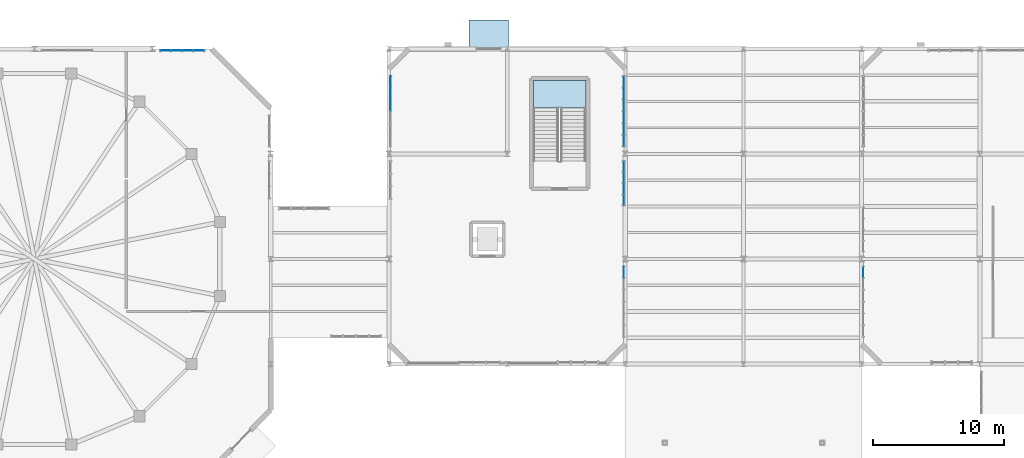
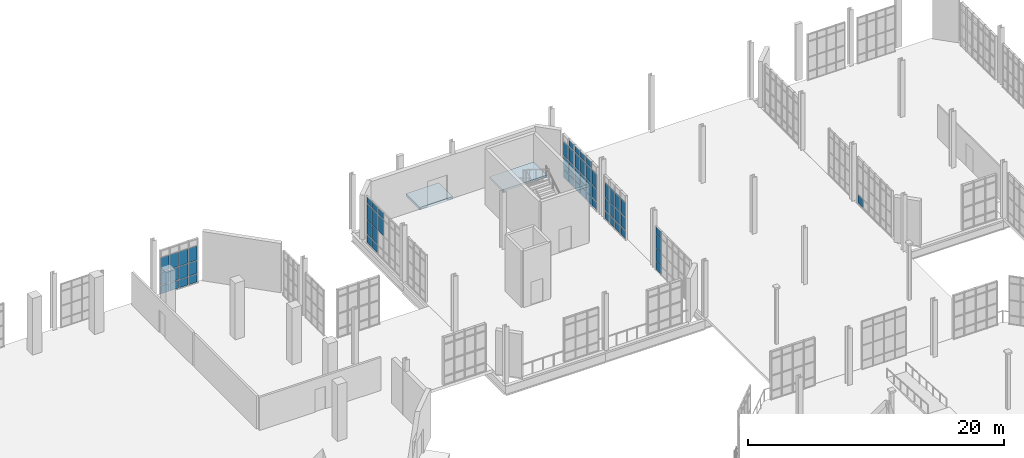
# One storey, part 160 of 189: 61 plates, 2 slabs, 7 elements without a shape of their own.
"""IFC4 building model written with IfcOpenShell, lengths in metres."""

from ifc_helpers import new_model, si_unit, direction, frame, origin, origin_2d, place, context, subcontext, project, spatial, polyline, rectangle, outline, extrude, material, layer, layer_set, type_object, element, aggregate, save


model = new_model("IFC4")

# Units and contexts
model_context = context("Model", 3, precision=1e-05, world=origin(), true_north=direction((0.0, 1.0)))
body_context = subcontext(model_context, "Body", "Model", "MODEL_VIEW")
ifc_project = project(units=[si_unit("LENGTHUNIT", "METRE"), si_unit("AREAUNIT", "SQUARE_METRE"), si_unit("VOLUMEUNIT", "CUBIC_METRE"), si_unit("PLANEANGLEUNIT", "RADIAN"), si_unit("MASSUNIT", "GRAM", prefix="KILO"), si_unit("THERMODYNAMICTEMPERATUREUNIT", "KELVIN"), si_unit("POWERUNIT", "WATT")], contexts=[model_context])

# Site, building, storey
site_placement = place(None, origin())
site = spatial("IfcSite", under=ifc_project, at=site_placement, CompositionType="ELEMENT")
building_placement = place(site_placement, origin())
building = spatial("IfcBuilding", under=site, at=building_placement, Name="Zelmaris Science Centre", CompositionType="ELEMENT")
storey_placement = place(building_placement, origin())
storey = spatial("IfcBuildingStorey", under=building, at=storey_placement, Name="L00", CompositionType="ELEMENT", Elevation=0.0)

# Curtain wall, plates
ifc_material_1 = material(Name="Anodised architectural aluminium 6063-T6", Category="aluminium")
ifc_layer_1 = layer(ifc_material_1, 0.18994140625, Name="Anodised architectural aluminium 6063-T6")
ifc_layer_set_1 = layer_set([ifc_layer_1], Name="Anodised architectural aluminium 6063-T6")
curtain_wall_type_1 = type_object("IfcCurtainWallType", Name="Curtain Wall CW-01", PredefinedType="USERDEFINED", material=ifc_layer_set_1)
curtain_wall_1_placement = place(storey_placement, origin())
curtain_wall_1 = element("IfcCurtainWall", 1, at=curtain_wall_1_placement, inside=storey, type_object=curtain_wall_type_1, Name="L00 Unitised curtain wall 29", ObjectType="GLAZED CURTAIN WALL", PredefinedType="USERDEFINED")
ifc_material_2 = material(Name="Laminated hurricane-rated low-E insulated glazing", Category="glass")
ifc_layer_2 = layer(ifc_material_2, 0.031982421875, Name="Laminated hurricane-rated low-E insulated glazing")
ifc_layer_set_2 = layer_set([ifc_layer_2], Name="Laminated hurricane-rated low-E insulated glazing")
plate_type_1 = type_object("IfcPlateType", Name="Curtain Glazing Panel CWP-1 32mm", PredefinedType="CURTAIN_PANEL", material=ifc_layer_set_2)
plate_1_placement = place(storey_placement, frame((71.8798828125, 85.490234375, 0.05712890625), z_axis=(0.0, 0.0, 1.0), x_axis=(0.0, -1.0, 0.0)))
plate_1 = element("IfcPlate", 2, at=plate_1_placement, type_object=plate_type_1, Name="CW-01 panel 1.1", PredefinedType="CURTAIN_PANEL", context=body_context, shape_type="SweptSolid", body=[
    extrude(rectangle(XDim=0.79541015625, YDim=0.031982421875, at=origin_2d()), origin(), (0.0, 0.0, 1.0), 0.741943359375),
])
plate_2_placement = place(storey_placement, frame((71.8798828125, 85.490234375, 0.87109375), z_axis=(0.0, 0.0, 1.0), x_axis=(0.0, -1.0, 0.0)))
plate_2 = element("IfcPlate", 3, at=plate_2_placement, type_object=plate_type_1, Name="CW-01 panel 1.2", PredefinedType="CURTAIN_PANEL", context=body_context, shape_type="SweptSolid", body=[
    extrude(rectangle(XDim=0.79541015625, YDim=0.031982421875, at=origin_2d()), origin(), (0.0, 0.0, 1.0), 1.202392578125),
])
plate_3_placement = place(storey_placement, frame((71.8798828125, 85.490234375, 2.1455078125), z_axis=(0.0, 0.0, 1.0), x_axis=(0.0, -1.0, 0.0)))
plate_3 = element("IfcPlate", 4, at=plate_3_placement, type_object=plate_type_1, Name="CW-01 panel 1.3", PredefinedType="CURTAIN_PANEL", context=body_context, shape_type="SweptSolid", body=[
    extrude(rectangle(XDim=0.79541015625, YDim=0.031982421875, at=origin_2d()), origin(), (0.0, 0.0, 1.0), 1.3525390625),
])
plate_4_placement = place(storey_placement, frame((71.8798828125, 84.60498046875, 0.05712890625), z_axis=(0.0, 0.0, 1.0), x_axis=(0.0, -1.0, 0.0)))
plate_4 = element("IfcPlate", 5, at=plate_4_placement, type_object=plate_type_1, Name="CW-01 panel 2.1", PredefinedType="CURTAIN_PANEL", context=body_context, shape_type="SweptSolid", body=[
    extrude(rectangle(XDim=0.831298828125, YDim=0.031982421875, at=origin_2d()), origin(), (0.0, 0.0, 1.0), 0.741943359375),
])
plate_5_placement = place(storey_placement, frame((71.8798828125, 84.60498046875, 0.87109375), z_axis=(0.0, 0.0, 1.0), x_axis=(0.0, -1.0, 0.0)))
plate_5 = element("IfcPlate", 6, at=plate_5_placement, type_object=plate_type_1, Name="CW-01 panel 2.2", PredefinedType="CURTAIN_PANEL", context=body_context, shape_type="SweptSolid", body=[
    extrude(rectangle(XDim=0.831298828125, YDim=0.031982421875, at=origin_2d()), origin(), (0.0, 0.0, 1.0), 1.202392578125),
])
plate_6_placement = place(storey_placement, frame((71.8798828125, 84.60498046875, 2.1455078125), z_axis=(0.0, 0.0, 1.0), x_axis=(0.0, -1.0, 0.0)))
plate_6 = element("IfcPlate", 7, at=plate_6_placement, type_object=plate_type_1, Name="CW-01 panel 2.3", PredefinedType="CURTAIN_PANEL", context=body_context, shape_type="SweptSolid", body=[
    extrude(rectangle(XDim=0.831298828125, YDim=0.031982421875, at=origin_2d()), origin(), (0.0, 0.0, 1.0), 1.3525390625),
])
plate_7_placement = place(storey_placement, frame((71.8798828125, 84.60498046875, 3.56982421875), z_axis=(0.0, 0.0, 1.0), x_axis=(0.0, -1.0, 0.0)))
plate_7 = element("IfcPlate", 8, at=plate_7_placement, type_object=plate_type_1, Name="CW-01 panel 2.4", PredefinedType="CURTAIN_PANEL", context=body_context, shape_type="SweptSolid", body=[
    extrude(rectangle(XDim=0.831298828125, YDim=0.031982421875, at=origin_2d()), origin(), (0.0, 0.0, 1.0), 0.592041015625),
])
plate_8_placement = place(storey_placement, frame((71.8798828125, 83.70166015625, 0.05712890625), z_axis=(0.0, 0.0, 1.0), x_axis=(0.0, -1.0, 0.0)))
plate_8 = element("IfcPlate", 9, at=plate_8_placement, type_object=plate_type_1, Name="CW-01 panel 3.1", PredefinedType="CURTAIN_PANEL", context=body_context, shape_type="SweptSolid", body=[
    extrude(rectangle(XDim=0.831298828125, YDim=0.031982421875, at=origin_2d()), origin(), (0.0, 0.0, 1.0), 0.741943359375),
])
plate_9_placement = place(storey_placement, frame((71.8798828125, 83.70166015625, 0.87109375), z_axis=(0.0, 0.0, 1.0), x_axis=(0.0, -1.0, 0.0)))
plate_9 = element("IfcPlate", 10, at=plate_9_placement, type_object=plate_type_1, Name="CW-01 panel 3.2", PredefinedType="CURTAIN_PANEL", context=body_context, shape_type="SweptSolid", body=[
    extrude(rectangle(XDim=0.831298828125, YDim=0.031982421875, at=origin_2d()), origin(), (0.0, 0.0, 1.0), 1.202392578125),
])
plate_10_placement = place(storey_placement, frame((71.8798828125, 83.70166015625, 2.1455078125), z_axis=(0.0, 0.0, 1.0), x_axis=(0.0, -1.0, 0.0)))
plate_10 = element("IfcPlate", 11, at=plate_10_placement, type_object=plate_type_1, Name="CW-01 panel 3.3", PredefinedType="CURTAIN_PANEL", context=body_context, shape_type="SweptSolid", body=[
    extrude(rectangle(XDim=0.831298828125, YDim=0.031982421875, at=origin_2d()), origin(), (0.0, 0.0, 1.0), 1.3525390625),
])
plate_11_placement = place(storey_placement, frame((71.8798828125, 83.70166015625, 3.56982421875), z_axis=(0.0, 0.0, 1.0), x_axis=(0.0, -1.0, 0.0)))
plate_11 = element("IfcPlate", 12, at=plate_11_placement, type_object=plate_type_1, Name="CW-01 panel 3.4", PredefinedType="CURTAIN_PANEL", context=body_context, shape_type="SweptSolid", body=[
    extrude(rectangle(XDim=0.831298828125, YDim=0.031982421875, at=origin_2d()), origin(), (0.0, 0.0, 1.0), 0.592041015625),
])
plate_12_placement = place(storey_placement, frame((71.8798828125, 82.79833984375, 0.05712890625), z_axis=(0.0, 0.0, 1.0), x_axis=(0.0, -1.0, 0.0)))
plate_12 = element("IfcPlate", 13, at=plate_12_placement, type_object=plate_type_1, Name="CW-01 panel 4.1", PredefinedType="CURTAIN_PANEL", context=body_context, shape_type="SweptSolid", body=[
    extrude(rectangle(XDim=0.831298828125, YDim=0.031982421875, at=origin_2d()), origin(), (0.0, 0.0, 1.0), 0.741943359375),
])
plate_13_placement = place(storey_placement, frame((71.8798828125, 82.79833984375, 0.87109375), z_axis=(0.0, 0.0, 1.0), x_axis=(0.0, -1.0, 0.0)))
plate_13 = element("IfcPlate", 14, at=plate_13_placement, type_object=plate_type_1, Name="CW-01 panel 4.2", PredefinedType="CURTAIN_PANEL", context=body_context, shape_type="SweptSolid", body=[
    extrude(rectangle(XDim=0.831298828125, YDim=0.031982421875, at=origin_2d()), origin(), (0.0, 0.0, 1.0), 1.202392578125),
])
plate_14_placement = place(storey_placement, frame((71.8798828125, 82.79833984375, 2.1455078125), z_axis=(0.0, 0.0, 1.0), x_axis=(0.0, -1.0, 0.0)))
plate_14 = element("IfcPlate", 15, at=plate_14_placement, type_object=plate_type_1, Name="CW-01 panel 4.3", PredefinedType="CURTAIN_PANEL", context=body_context, shape_type="SweptSolid", body=[
    extrude(rectangle(XDim=0.831298828125, YDim=0.031982421875, at=origin_2d()), origin(), (0.0, 0.0, 1.0), 1.3525390625),
])
plate_15_placement = place(storey_placement, frame((71.8798828125, 82.79833984375, 3.56982421875), z_axis=(0.0, 0.0, 1.0), x_axis=(0.0, -1.0, 0.0)))
plate_15 = element("IfcPlate", 16, at=plate_15_placement, type_object=plate_type_1, Name="CW-01 panel 4.4", PredefinedType="CURTAIN_PANEL", context=body_context, shape_type="SweptSolid", body=[
    extrude(rectangle(XDim=0.831298828125, YDim=0.031982421875, at=origin_2d()), origin(), (0.0, 0.0, 1.0), 0.592041015625),
])
plate_16_placement = place(storey_placement, frame((71.8798828125, 81.89501953125, 0.05712890625), z_axis=(0.0, 0.0, 1.0), x_axis=(0.0, -1.0, 0.0)))
plate_16 = element("IfcPlate", 17, at=plate_16_placement, type_object=plate_type_1, Name="CW-01 panel 5.1", PredefinedType="CURTAIN_PANEL", context=body_context, shape_type="SweptSolid", body=[
    extrude(rectangle(XDim=0.831298828125, YDim=0.031982421875, at=origin_2d()), origin(), (0.0, 0.0, 1.0), 0.741943359375),
])
plate_17_placement = place(storey_placement, frame((71.8798828125, 81.89501953125, 0.87109375), z_axis=(0.0, 0.0, 1.0), x_axis=(0.0, -1.0, 0.0)))
plate_17 = element("IfcPlate", 18, at=plate_17_placement, type_object=plate_type_1, Name="CW-01 panel 5.2", PredefinedType="CURTAIN_PANEL", context=body_context, shape_type="SweptSolid", body=[
    extrude(rectangle(XDim=0.831298828125, YDim=0.031982421875, at=origin_2d()), origin(), (0.0, 0.0, 1.0), 1.202392578125),
])
plate_18_placement = place(storey_placement, frame((71.8798828125, 81.89501953125, 2.1455078125), z_axis=(0.0, 0.0, 1.0), x_axis=(0.0, -1.0, 0.0)))
plate_18 = element("IfcPlate", 19, at=plate_18_placement, type_object=plate_type_1, Name="CW-01 panel 5.3", PredefinedType="CURTAIN_PANEL", context=body_context, shape_type="SweptSolid", body=[
    extrude(rectangle(XDim=0.831298828125, YDim=0.031982421875, at=origin_2d()), origin(), (0.0, 0.0, 1.0), 1.3525390625),
])
plate_19_placement = place(storey_placement, frame((71.8798828125, 81.89501953125, 3.56982421875), z_axis=(0.0, 0.0, 1.0), x_axis=(0.0, -1.0, 0.0)))
plate_19 = element("IfcPlate", 20, at=plate_19_placement, type_object=plate_type_1, Name="CW-01 panel 5.4", PredefinedType="CURTAIN_PANEL", context=body_context, shape_type="SweptSolid", body=[
    extrude(rectangle(XDim=0.831298828125, YDim=0.031982421875, at=origin_2d()), origin(), (0.0, 0.0, 1.0), 0.592041015625),
])
plate_20_placement = place(storey_placement, frame((71.8798828125, 81.009765625, 0.05712890625), z_axis=(0.0, 0.0, 1.0), x_axis=(0.0, -1.0, 0.0)))
plate_20 = element("IfcPlate", 21, at=plate_20_placement, type_object=plate_type_1, Name="CW-01 panel 6.1", PredefinedType="CURTAIN_PANEL", context=body_context, shape_type="SweptSolid", body=[
    extrude(rectangle(XDim=0.79541015625, YDim=0.031982421875, at=origin_2d()), origin(), (0.0, 0.0, 1.0), 0.741943359375),
])
plate_21_placement = place(storey_placement, frame((71.8798828125, 81.009765625, 0.87109375), z_axis=(0.0, 0.0, 1.0), x_axis=(0.0, -1.0, 0.0)))
plate_21 = element("IfcPlate", 22, at=plate_21_placement, type_object=plate_type_1, Name="CW-01 panel 6.2", PredefinedType="CURTAIN_PANEL", context=body_context, shape_type="SweptSolid", body=[
    extrude(rectangle(XDim=0.79541015625, YDim=0.031982421875, at=origin_2d()), origin(), (0.0, 0.0, 1.0), 1.202392578125),
])
plate_22_placement = place(storey_placement, frame((71.8798828125, 81.009765625, 2.1455078125), z_axis=(0.0, 0.0, 1.0), x_axis=(0.0, -1.0, 0.0)))
plate_22 = element("IfcPlate", 23, at=plate_22_placement, type_object=plate_type_1, Name="CW-01 panel 6.3", PredefinedType="CURTAIN_PANEL", context=body_context, shape_type="SweptSolid", body=[
    extrude(rectangle(XDim=0.79541015625, YDim=0.031982421875, at=origin_2d()), origin(), (0.0, 0.0, 1.0), 1.3525390625),
])
aggregate(curtain_wall_1, [plate_1, plate_2, plate_3, plate_4, plate_5, plate_6, plate_7, plate_8, plate_9, plate_10, plate_11, plate_12, plate_13, plate_14, plate_15, plate_16, plate_17, plate_18, plate_19, plate_20, plate_21, plate_22])

ifc_layer_3 = layer(ifc_material_1, 0.199951171875, Name="Anodised architectural aluminium 6063-T6")
ifc_layer_set_3 = layer_set([ifc_layer_3], Name="Anodised architectural aluminium 6063-T6")
curtain_wall_type_2 = type_object("IfcCurtainWallType", Name="Curtain Wall CW-02", PredefinedType="USERDEFINED", material=ifc_layer_set_3)
curtain_wall_2_placement = place(storey_placement, origin())
curtain_wall_2 = element("IfcCurtainWall", 24, at=curtain_wall_2_placement, inside=storey, type_object=curtain_wall_type_2, Name="L00 Unitised curtain wall 22", ObjectType="GLAZED CURTAIN WALL", PredefinedType="USERDEFINED")
ifc_layer_4 = layer(ifc_material_2, 0.028076171875, Name="Laminated hurricane-rated low-E insulated glazing")
ifc_layer_set_4 = layer_set([ifc_layer_4], Name="Laminated hurricane-rated low-E insulated glazing")
plate_type_2 = type_object("IfcPlateType", Name="Curtain Glazing Panel CWP-2 28mm", PredefinedType="CURTAIN_PANEL", material=ifc_layer_set_4)
plate_23_placement = place(storey_placement, frame((36.984130859375, 87.8798828125, 0.052001953125), z_axis=(0.0, 0.0, 1.0), x_axis=(1.0, 0.0, 0.0)))
plate_23 = element("IfcPlate", 25, at=plate_23_placement, type_object=plate_type_2, Name="CW-02 panel 1.1", PredefinedType="CURTAIN_PANEL", context=body_context, shape_type="SweptSolid", body=[
    extrude(rectangle(XDim=0.75439453125, YDim=0.028076171875, at=origin_2d()), origin(), (0.0, 0.0, 1.0), 0.74951171875),
])
plate_24_placement = place(storey_placement, frame((36.984130859375, 87.8798828125, 0.868408203125), z_axis=(0.0, 0.0, 1.0), x_axis=(1.0, 0.0, 0.0)))
plate_24 = element("IfcPlate", 26, at=plate_24_placement, type_object=plate_type_2, Name="CW-02 panel 1.2", PredefinedType="CURTAIN_PANEL", context=body_context, shape_type="SweptSolid", body=[
    extrude(rectangle(XDim=0.75439453125, YDim=0.028076171875, at=origin_2d()), origin(), (0.0, 0.0, 1.0), 1.20751953125),
])
plate_25_placement = place(storey_placement, frame((36.984130859375, 87.8798828125, 2.14306640625), z_axis=(0.0, 0.0, 1.0), x_axis=(1.0, 0.0, 0.0)))
plate_25 = element("IfcPlate", 27, at=plate_25_placement, type_object=plate_type_2, Name="CW-02 panel 1.3", PredefinedType="CURTAIN_PANEL", context=body_context, shape_type="SweptSolid", body=[
    extrude(rectangle(XDim=0.75439453125, YDim=0.028076171875, at=origin_2d()), origin(), (0.0, 0.0, 1.0), 1.357421875),
])
plate_26_placement = place(storey_placement, frame((37.822509765625, 87.8798828125, 0.052001953125), z_axis=(0.0, 0.0, 1.0), x_axis=(1.0, 0.0, 0.0)))
plate_26 = element("IfcPlate", 28, at=plate_26_placement, type_object=plate_type_2, Name="CW-02 panel 2.1", PredefinedType="CURTAIN_PANEL", context=body_context, shape_type="SweptSolid", body=[
    extrude(rectangle(XDim=0.7880859375, YDim=0.028076171875, at=origin_2d()), origin(), (0.0, 0.0, 1.0), 0.74951171875),
])
plate_27_placement = place(storey_placement, frame((37.822509765625, 87.8798828125, 0.868408203125), z_axis=(0.0, 0.0, 1.0), x_axis=(1.0, 0.0, 0.0)))
plate_27 = element("IfcPlate", 29, at=plate_27_placement, type_object=plate_type_2, Name="CW-02 panel 2.2", PredefinedType="CURTAIN_PANEL", context=body_context, shape_type="SweptSolid", body=[
    extrude(rectangle(XDim=0.7880859375, YDim=0.028076171875, at=origin_2d()), origin(), (0.0, 0.0, 1.0), 1.20751953125),
])
plate_28_placement = place(storey_placement, frame((37.822509765625, 87.8798828125, 2.14306640625), z_axis=(0.0, 0.0, 1.0), x_axis=(1.0, 0.0, 0.0)))
plate_28 = element("IfcPlate", 30, at=plate_28_placement, type_object=plate_type_2, Name="CW-02 panel 2.3", PredefinedType="CURTAIN_PANEL", context=body_context, shape_type="SweptSolid", body=[
    extrude(rectangle(XDim=0.7880859375, YDim=0.028076171875, at=origin_2d()), origin(), (0.0, 0.0, 1.0), 1.357421875),
])
plate_29_placement = place(storey_placement, frame((38.677490234375, 87.8798828125, 0.052001953125), z_axis=(0.0, 0.0, 1.0), x_axis=(1.0, 0.0, 0.0)))
plate_29 = element("IfcPlate", 31, at=plate_29_placement, type_object=plate_type_2, Name="CW-02 panel 3.1", PredefinedType="CURTAIN_PANEL", context=body_context, shape_type="SweptSolid", body=[
    extrude(rectangle(XDim=0.7880859375, YDim=0.028076171875, at=origin_2d()), origin(), (0.0, 0.0, 1.0), 0.74951171875),
])
plate_30_placement = place(storey_placement, frame((38.677490234375, 87.8798828125, 0.868408203125), z_axis=(0.0, 0.0, 1.0), x_axis=(1.0, 0.0, 0.0)))
plate_30 = element("IfcPlate", 32, at=plate_30_placement, type_object=plate_type_2, Name="CW-02 panel 3.2", PredefinedType="CURTAIN_PANEL", context=body_context, shape_type="SweptSolid", body=[
    extrude(rectangle(XDim=0.7880859375, YDim=0.028076171875, at=origin_2d()), origin(), (0.0, 0.0, 1.0), 1.20751953125),
])
plate_31_placement = place(storey_placement, frame((38.677490234375, 87.8798828125, 2.14306640625), z_axis=(0.0, 0.0, 1.0), x_axis=(1.0, 0.0, 0.0)))
plate_31 = element("IfcPlate", 33, at=plate_31_placement, type_object=plate_type_2, Name="CW-02 panel 3.3", PredefinedType="CURTAIN_PANEL", context=body_context, shape_type="SweptSolid", body=[
    extrude(rectangle(XDim=0.7880859375, YDim=0.028076171875, at=origin_2d()), origin(), (0.0, 0.0, 1.0), 1.357421875),
])
plate_32_placement = place(storey_placement, frame((39.515869140625, 87.8798828125, 0.052001953125), z_axis=(0.0, 0.0, 1.0), x_axis=(1.0, 0.0, 0.0)))
plate_32 = element("IfcPlate", 34, at=plate_32_placement, type_object=plate_type_2, Name="CW-02 panel 4.1", PredefinedType="CURTAIN_PANEL", context=body_context, shape_type="SweptSolid", body=[
    extrude(rectangle(XDim=0.75439453125, YDim=0.028076171875, at=origin_2d()), origin(), (0.0, 0.0, 1.0), 0.74951171875),
])
plate_33_placement = place(storey_placement, frame((39.515869140625, 87.8798828125, 0.868408203125), z_axis=(0.0, 0.0, 1.0), x_axis=(1.0, 0.0, 0.0)))
plate_33 = element("IfcPlate", 35, at=plate_33_placement, type_object=plate_type_2, Name="CW-02 panel 4.2", PredefinedType="CURTAIN_PANEL", context=body_context, shape_type="SweptSolid", body=[
    extrude(rectangle(XDim=0.75439453125, YDim=0.028076171875, at=origin_2d()), origin(), (0.0, 0.0, 1.0), 1.20751953125),
])
plate_34_placement = place(storey_placement, frame((39.515869140625, 87.8798828125, 2.14306640625), z_axis=(0.0, 0.0, 1.0), x_axis=(1.0, 0.0, 0.0)))
plate_34 = element("IfcPlate", 36, at=plate_34_placement, type_object=plate_type_2, Name="CW-02 panel 4.3", PredefinedType="CURTAIN_PANEL", context=body_context, shape_type="SweptSolid", body=[
    extrude(rectangle(XDim=0.75439453125, YDim=0.028076171875, at=origin_2d()), origin(), (0.0, 0.0, 1.0), 1.357421875),
])
aggregate(curtain_wall_2, [plate_23, plate_24, plate_25, plate_26, plate_27, plate_28, plate_29, plate_30, plate_31, plate_32, plate_33, plate_34])

curtain_wall_3_placement = place(storey_placement, origin())
curtain_wall_3 = element("IfcCurtainWall", 37, at=curtain_wall_3_placement, inside=storey, type_object=curtain_wall_type_2, Name="L00 Unitised curtain wall 30", ObjectType="GLAZED CURTAIN WALL", PredefinedType="USERDEFINED")
plate_35_placement = place(storey_placement, frame((71.8798828125, 79.018310546875, 0.052001953125), z_axis=(0.0, 0.0, 1.0), x_axis=(0.0, -1.0, 0.0)))
plate_35 = element("IfcPlate", 38, at=plate_35_placement, type_object=plate_type_2, Name="CW-02 panel 1.1", PredefinedType="CURTAIN_PANEL", context=body_context, shape_type="SweptSolid", body=[
    extrude(rectangle(XDim=0.74951171875, YDim=0.028076171875, at=origin_2d()), origin(), (0.0, 0.0, 1.0), 0.74951171875),
])
plate_36_placement = place(storey_placement, frame((71.8798828125, 79.018310546875, 0.868408203125), z_axis=(0.0, 0.0, 1.0), x_axis=(0.0, -1.0, 0.0)))
plate_36 = element("IfcPlate", 39, at=plate_36_placement, type_object=plate_type_2, Name="CW-02 panel 1.2", PredefinedType="CURTAIN_PANEL", context=body_context, shape_type="SweptSolid", body=[
    extrude(rectangle(XDim=0.74951171875, YDim=0.028076171875, at=origin_2d()), origin(), (0.0, 0.0, 1.0), 1.20751953125),
])
plate_37_placement = place(storey_placement, frame((71.8798828125, 79.018310546875, 2.14306640625), z_axis=(0.0, 0.0, 1.0), x_axis=(0.0, -1.0, 0.0)))
plate_37 = element("IfcPlate", 40, at=plate_37_placement, type_object=plate_type_2, Name="CW-02 panel 1.3", PredefinedType="CURTAIN_PANEL", context=body_context, shape_type="SweptSolid", body=[
    extrude(rectangle(XDim=0.74951171875, YDim=0.028076171875, at=origin_2d()), origin(), (0.0, 0.0, 1.0), 1.357421875),
])
plate_38_placement = place(storey_placement, frame((71.8798828125, 78.18505859375, 0.052001953125), z_axis=(0.0, 0.0, 1.0), x_axis=(0.0, -1.0, 0.0)))
plate_38 = element("IfcPlate", 41, at=plate_38_placement, type_object=plate_type_2, Name="CW-02 panel 2.1", PredefinedType="CURTAIN_PANEL", context=body_context, shape_type="SweptSolid", body=[
    extrude(rectangle(XDim=0.782958984375, YDim=0.028076171875, at=origin_2d()), origin(), (0.0, 0.0, 1.0), 0.74951171875),
])
plate_39_placement = place(storey_placement, frame((71.8798828125, 78.18505859375, 0.868408203125), z_axis=(0.0, 0.0, 1.0), x_axis=(0.0, -1.0, 0.0)))
plate_39 = element("IfcPlate", 42, at=plate_39_placement, type_object=plate_type_2, Name="CW-02 panel 2.2", PredefinedType="CURTAIN_PANEL", context=body_context, shape_type="SweptSolid", body=[
    extrude(rectangle(XDim=0.782958984375, YDim=0.028076171875, at=origin_2d()), origin(), (0.0, 0.0, 1.0), 1.20751953125),
])
plate_40_placement = place(storey_placement, frame((71.8798828125, 78.18505859375, 2.14306640625), z_axis=(0.0, 0.0, 1.0), x_axis=(0.0, -1.0, 0.0)))
plate_40 = element("IfcPlate", 43, at=plate_40_placement, type_object=plate_type_2, Name="CW-02 panel 2.3", PredefinedType="CURTAIN_PANEL", context=body_context, shape_type="SweptSolid", body=[
    extrude(rectangle(XDim=0.782958984375, YDim=0.028076171875, at=origin_2d()), origin(), (0.0, 0.0, 1.0), 1.357421875),
])
plate_41_placement = place(storey_placement, frame((71.8798828125, 77.3349609375, 0.052001953125), z_axis=(0.0, 0.0, 1.0), x_axis=(0.0, -1.0, 0.0)))
plate_41 = element("IfcPlate", 44, at=plate_41_placement, type_object=plate_type_2, Name="CW-02 panel 3.1", PredefinedType="CURTAIN_PANEL", context=body_context, shape_type="SweptSolid", body=[
    extrude(rectangle(XDim=0.782958984375, YDim=0.028076171875, at=origin_2d()), origin(), (0.0, 0.0, 1.0), 0.74951171875),
])
plate_42_placement = place(storey_placement, frame((71.8798828125, 77.3349609375, 0.868408203125), z_axis=(0.0, 0.0, 1.0), x_axis=(0.0, -1.0, 0.0)))
plate_42 = element("IfcPlate", 45, at=plate_42_placement, type_object=plate_type_2, Name="CW-02 panel 3.2", PredefinedType="CURTAIN_PANEL", context=body_context, shape_type="SweptSolid", body=[
    extrude(rectangle(XDim=0.782958984375, YDim=0.028076171875, at=origin_2d()), origin(), (0.0, 0.0, 1.0), 1.20751953125),
])
plate_43_placement = place(storey_placement, frame((71.8798828125, 77.3349609375, 2.14306640625), z_axis=(0.0, 0.0, 1.0), x_axis=(0.0, -1.0, 0.0)))
plate_43 = element("IfcPlate", 46, at=plate_43_placement, type_object=plate_type_2, Name="CW-02 panel 3.3", PredefinedType="CURTAIN_PANEL", context=body_context, shape_type="SweptSolid", body=[
    extrude(rectangle(XDim=0.782958984375, YDim=0.028076171875, at=origin_2d()), origin(), (0.0, 0.0, 1.0), 1.357421875),
])
plate_44_placement = place(storey_placement, frame((71.8798828125, 76.501708984375, 0.052001953125), z_axis=(0.0, 0.0, 1.0), x_axis=(0.0, -1.0, 0.0)))
plate_44 = element("IfcPlate", 47, at=plate_44_placement, type_object=plate_type_2, Name="CW-02 panel 4.1", PredefinedType="CURTAIN_PANEL", context=body_context, shape_type="SweptSolid", body=[
    extrude(rectangle(XDim=0.74951171875, YDim=0.028076171875, at=origin_2d()), origin(), (0.0, 0.0, 1.0), 0.74951171875),
])
plate_45_placement = place(storey_placement, frame((71.8798828125, 76.501708984375, 0.868408203125), z_axis=(0.0, 0.0, 1.0), x_axis=(0.0, -1.0, 0.0)))
plate_45 = element("IfcPlate", 48, at=plate_45_placement, type_object=plate_type_2, Name="CW-02 panel 4.2", PredefinedType="CURTAIN_PANEL", context=body_context, shape_type="SweptSolid", body=[
    extrude(rectangle(XDim=0.74951171875, YDim=0.028076171875, at=origin_2d()), origin(), (0.0, 0.0, 1.0), 1.20751953125),
])
plate_46_placement = place(storey_placement, frame((71.8798828125, 76.501708984375, 2.14306640625), z_axis=(0.0, 0.0, 1.0), x_axis=(0.0, -1.0, 0.0)))
plate_46 = element("IfcPlate", 49, at=plate_46_placement, type_object=plate_type_2, Name="CW-02 panel 4.3", PredefinedType="CURTAIN_PANEL", context=body_context, shape_type="SweptSolid", body=[
    extrude(rectangle(XDim=0.74951171875, YDim=0.028076171875, at=origin_2d()), origin(), (0.0, 0.0, 1.0), 1.357421875),
])
aggregate(curtain_wall_3, [plate_35, plate_36, plate_37, plate_38, plate_39, plate_40, plate_41, plate_42, plate_43, plate_44, plate_45, plate_46])

# Curtain wall, plate
ifc_layer_5 = layer(ifc_material_1, 0.2099609375, Name="Anodised architectural aluminium 6063-T6")
ifc_layer_set_5 = layer_set([ifc_layer_5], Name="Anodised architectural aluminium 6063-T6")
curtain_wall_type_3 = type_object("IfcCurtainWallType", Name="Curtain Wall CW-03", PredefinedType="USERDEFINED", material=ifc_layer_set_5)
curtain_wall_4_placement = place(storey_placement, origin())
curtain_wall_4 = element("IfcCurtainWall", 50, at=curtain_wall_4_placement, inside=storey, type_object=curtain_wall_type_3, Name="L00 Unitised curtain wall 79", ObjectType="GLAZED CURTAIN WALL", PredefinedType="USERDEFINED")
ifc_layer_6 = layer(ifc_material_2, 0.02587890625, Name="Laminated hurricane-rated low-E insulated glazing")
ifc_layer_set_6 = layer_set([ifc_layer_6], Name="Laminated hurricane-rated low-E insulated glazing")
plate_type_3 = type_object("IfcPlateType", Name="Curtain Glazing Panel CWP-3 26mm", PredefinedType="CURTAIN_PANEL", material=ifc_layer_set_6)
plate_47_placement = place(storey_placement, frame((90.1201171875, 70.994140625, 0.0419921875), z_axis=(0.0, 0.0, 1.0), x_axis=(0.0, 1.0, 0.0)))
plate_47 = element("IfcPlate", 51, at=plate_47_placement, type_object=plate_type_3, Name="CW-03 panel 6.1", PredefinedType="CURTAIN_PANEL", context=body_context, shape_type="SweptSolid", body=[
    extrude(rectangle(XDim=0.81787109375, YDim=0.02587890625, at=origin_2d()), origin(), (0.0, 0.0, 1.0), 0.764404296875),
])
aggregate(curtain_wall_4, [plate_47])

# Curtain wall, plates
ifc_layer_7 = layer(ifc_material_1, 0.219970703125, Name="Anodised architectural aluminium 6063-T6")
ifc_layer_set_7 = layer_set([ifc_layer_7], Name="Anodised architectural aluminium 6063-T6")
curtain_wall_type_4 = type_object("IfcCurtainWallType", Name="Curtain Wall CW-04", PredefinedType="USERDEFINED", material=ifc_layer_set_7)
curtain_wall_5_placement = place(storey_placement, origin())
curtain_wall_5 = element("IfcCurtainWall", 52, at=curtain_wall_5_placement, inside=storey, type_object=curtain_wall_type_4, Name="L00 Unitised curtain wall 28", ObjectType="GLAZED CURTAIN WALL", PredefinedType="USERDEFINED")
ifc_layer_8 = layer(ifc_material_2, 0.02392578125, Name="Laminated hurricane-rated low-E insulated glazing")
ifc_layer_set_8 = layer_set([ifc_layer_8], Name="Laminated hurricane-rated low-E insulated glazing")
plate_type_4 = type_object("IfcPlateType", Name="Curtain Glazing Panel CWP-4 24mm", PredefinedType="CURTAIN_PANEL", material=ifc_layer_set_8)
plate_48_placement = place(storey_placement, frame((54.116455078125, 83.701416015625, 2.261474609375), z_axis=(0.0, 0.0, 1.0), x_axis=(0.001309961976, 0.999999141999, 0.0)))
plate_48 = element("IfcPlate", 53, at=plate_48_placement, type_object=plate_type_4, Name="CW-04 panel 4.3", PredefinedType="CURTAIN_PANEL", context=body_context, shape_type="SweptSolid", body=[
    extrude(rectangle(XDim=0.851318359375, YDim=0.02392578125, at=origin_2d()), origin(), (0.0, 0.0, 1.0), 1.49853515625),
])
plate_49_placement = place(storey_placement, frame((54.116455078125, 83.701416015625, 3.81201171875), z_axis=(0.0, 0.0, 1.0), x_axis=(0.001309961976, 0.999999141999, 0.0)))
plate_49 = element("IfcPlate", 54, at=plate_49_placement, type_object=plate_type_4, Name="CW-04 panel 4.4", PredefinedType="CURTAIN_PANEL", context=body_context, shape_type="SweptSolid", body=[
    extrude(rectangle(XDim=0.851318359375, YDim=0.02392578125, at=origin_2d()), origin(), (0.0, 0.0, 1.0), 0.6220703125),
])
plate_50_placement = place(storey_placement, frame((54.11767578125, 84.604736328125, 0.037109375), z_axis=(0.0, 0.0, 1.0), x_axis=(0.001309961976, 0.999999141999, 0.0)))
plate_50 = element("IfcPlate", 55, at=plate_50_placement, type_object=plate_type_4, Name="CW-04 panel 5.1", PredefinedType="CURTAIN_PANEL", context=body_context, shape_type="SweptSolid", body=[
    extrude(rectangle(XDim=0.851318359375, YDim=0.02392578125, at=origin_2d()), origin(), (0.0, 0.0, 1.0), 0.77197265625),
])
plate_51_placement = place(storey_placement, frame((54.11767578125, 84.604736328125, 0.86083984375), z_axis=(0.0, 0.0, 1.0), x_axis=(0.001309961976, 0.999999141999, 0.0)))
plate_51 = element("IfcPlate", 56, at=plate_51_placement, type_object=plate_type_4, Name="CW-04 panel 5.2", PredefinedType="CURTAIN_PANEL", context=body_context, shape_type="SweptSolid", body=[
    extrude(rectangle(XDim=0.851318359375, YDim=0.02392578125, at=origin_2d()), origin(), (0.0, 0.0, 1.0), 1.348388671875),
])
plate_52_placement = place(storey_placement, frame((54.11767578125, 84.604736328125, 2.261474609375), z_axis=(0.0, 0.0, 1.0), x_axis=(0.001309961976, 0.999999141999, 0.0)))
plate_52 = element("IfcPlate", 57, at=plate_52_placement, type_object=plate_type_4, Name="CW-04 panel 5.3", PredefinedType="CURTAIN_PANEL", context=body_context, shape_type="SweptSolid", body=[
    extrude(rectangle(XDim=0.851318359375, YDim=0.02392578125, at=origin_2d()), origin(), (0.0, 0.0, 1.0), 1.49853515625),
])
plate_53_placement = place(storey_placement, frame((54.11767578125, 84.604736328125, 3.81201171875), z_axis=(0.0, 0.0, 1.0), x_axis=(0.001309961976, 0.999999141999, 0.0)))
plate_53 = element("IfcPlate", 58, at=plate_53_placement, type_object=plate_type_4, Name="CW-04 panel 5.4", PredefinedType="CURTAIN_PANEL", context=body_context, shape_type="SweptSolid", body=[
    extrude(rectangle(XDim=0.851318359375, YDim=0.02392578125, at=origin_2d()), origin(), (0.0, 0.0, 1.0), 0.6220703125),
])
plate_54_placement = place(storey_placement, frame((54.118896484375, 85.4951171875, 0.037109375), z_axis=(0.0, 0.0, 1.0), x_axis=(0.001309961976, 0.999999141999, 0.0)))
plate_54 = element("IfcPlate", 59, at=plate_54_placement, type_object=plate_type_4, Name="CW-04 panel 6.1", PredefinedType="CURTAIN_PANEL", context=body_context, shape_type="SweptSolid", body=[
    extrude(rectangle(XDim=0.825439453125, YDim=0.02392578125, at=origin_2d()), origin(), (0.0, 0.0, 1.0), 0.77197265625),
])
plate_55_placement = place(storey_placement, frame((54.118896484375, 85.4951171875, 0.86083984375), z_axis=(0.0, 0.0, 1.0), x_axis=(0.001309961976, 0.999999141999, 0.0)))
plate_55 = element("IfcPlate", 60, at=plate_55_placement, type_object=plate_type_4, Name="CW-04 panel 6.2", PredefinedType="CURTAIN_PANEL", context=body_context, shape_type="SweptSolid", body=[
    extrude(rectangle(XDim=0.825439453125, YDim=0.02392578125, at=origin_2d()), origin(), (0.0, 0.0, 1.0), 1.348388671875),
])
plate_56_placement = place(storey_placement, frame((54.118896484375, 85.4951171875, 2.261474609375), z_axis=(0.0, 0.0, 1.0), x_axis=(0.001309961976, 0.999999141999, 0.0)))
plate_56 = element("IfcPlate", 61, at=plate_56_placement, type_object=plate_type_4, Name="CW-04 panel 6.3", PredefinedType="CURTAIN_PANEL", context=body_context, shape_type="SweptSolid", body=[
    extrude(rectangle(XDim=0.825439453125, YDim=0.02392578125, at=origin_2d()), origin(), (0.0, 0.0, 1.0), 1.49853515625),
])
plate_57_placement = place(storey_placement, frame((54.118896484375, 85.4951171875, 3.81201171875), z_axis=(0.0, 0.0, 1.0), x_axis=(0.001309961976, 0.999999141999, 0.0)))
plate_57 = element("IfcPlate", 62, at=plate_57_placement, type_object=plate_type_4, Name="CW-04 panel 6.4", PredefinedType="CURTAIN_PANEL", context=body_context, shape_type="SweptSolid", body=[
    extrude(rectangle(XDim=0.825439453125, YDim=0.02392578125, at=origin_2d()), origin(), (0.0, 0.0, 1.0), 0.6220703125),
])
aggregate(curtain_wall_5, [plate_48, plate_49, plate_50, plate_51, plate_52, plate_53, plate_54, plate_55, plate_56, plate_57])

curtain_wall_6_placement = place(storey_placement, origin())
curtain_wall_6 = element("IfcCurtainWall", 63, at=curtain_wall_6_placement, inside=storey, type_object=curtain_wall_type_4, Name="L00 Unitised curtain wall 32", ObjectType="GLAZED CURTAIN WALL", PredefinedType="USERDEFINED")
plate_58_placement = place(storey_placement, frame((71.8798828125, 70.995361328125, 0.037109375), z_axis=(0.0, 0.0, 1.0), x_axis=(0.0, -1.0, 0.0)))
plate_58 = element("IfcPlate", 64, at=plate_58_placement, type_object=plate_type_4, Name="CW-04 panel 1.1", PredefinedType="CURTAIN_PANEL", context=body_context, shape_type="SweptSolid", body=[
    extrude(rectangle(XDim=0.825439453125, YDim=0.02392578125, at=origin_2d()), origin(), (0.0, 0.0, 1.0), 0.77197265625),
])
plate_59_placement = place(storey_placement, frame((71.8798828125, 70.995361328125, 0.861083984375), z_axis=(0.0, 0.0, 1.0), x_axis=(0.0, -1.0, 0.0)))
plate_59 = element("IfcPlate", 65, at=plate_59_placement, type_object=plate_type_4, Name="CW-04 panel 1.2", PredefinedType="CURTAIN_PANEL", context=body_context, shape_type="SweptSolid", body=[
    extrude(rectangle(XDim=0.825439453125, YDim=0.02392578125, at=origin_2d()), origin(), (0.0, 0.0, 1.0), 1.19091796875),
])
plate_60_placement = place(storey_placement, frame((71.8798828125, 70.995361328125, 2.10400390625), z_axis=(0.0, 0.0, 1.0), x_axis=(0.0, -1.0, 0.0)))
plate_60 = element("IfcPlate", 66, at=plate_60_placement, type_object=plate_type_4, Name="CW-04 panel 1.3", PredefinedType="CURTAIN_PANEL", context=body_context, shape_type="SweptSolid", body=[
    extrude(rectangle(XDim=0.825439453125, YDim=0.02392578125, at=origin_2d()), origin(), (0.0, 0.0, 1.0), 1.341064453125),
])
plate_61_placement = place(storey_placement, frame((71.8798828125, 70.995361328125, 3.4970703125), z_axis=(0.0, 0.0, 1.0), x_axis=(0.0, -1.0, 0.0)))
plate_61 = element("IfcPlate", 67, at=plate_61_placement, type_object=plate_type_4, Name="CW-04 panel 1.4", PredefinedType="CURTAIN_PANEL", context=body_context, shape_type="SweptSolid", body=[
    extrude(rectangle(XDim=0.825439453125, YDim=0.02392578125, at=origin_2d()), origin(), (0.0, 0.0, 1.0), 0.6220703125),
])
aggregate(curtain_wall_6, [plate_58, plate_59, plate_60, plate_61])

# Stair, slab
ifc_material_3 = material(Name="Concrete C40/50", Category="concrete")
stair_type = type_object("IfcStairType", Name="Exit Stair ST-A W1900", PredefinedType="HALF_TURN_STAIR", material=ifc_material_3)
stair_placement = place(storey_placement, origin())
stair = element("IfcStair", 68, at=stair_placement, inside=storey, type_object=stair_type, Name="L00 Exit Stair Core ST-3", PredefinedType="HALF_TURN_STAIR")
ifc_material_4 = material(Name="Concrete C35/45", Category="concrete")
ifc_layer_9 = layer(ifc_material_4, 0.18994140625, Name="Concrete C35/45")
ifc_layer_set_9 = layer_set([ifc_layer_9], Name="Concrete C35/45")
slab_type_1 = type_object("IfcSlabType", Name="Slab SL-LD190 190mm", PredefinedType="LANDING", material=ifc_layer_set_9)
slab_1_placement = place(storey_placement, frame((0.0, 0.0, 2.510009765625)))
slab_1 = element("IfcSlab", 69, at=slab_1_placement, type_object=slab_type_1, Name="ST-3 landing 1", PredefinedType="LANDING", context=body_context, shape_type="SweptSolid", body=[
    extrude(outline(polyline([(69.0, 83.510009765625), (69.0, 85.60009765625), (65.0, 85.60009765625), (65.0, 83.510009765625), (69.0, 83.510009765625)])), origin(), (0.0, 0.0, 1.0), 0.18994140625),
])
aggregate(stair, [slab_1])

# Slab
ifc_layer_10 = layer(ifc_material_3, 0.25, Name="Concrete C40/50")
ifc_layer_set_10 = layer_set([ifc_layer_10], Name="Concrete C40/50")
slab_type_2 = type_object("IfcSlabType", Name="Slab SL-TR250 250mm", PredefinedType="FLOOR", material=ifc_layer_set_10)
slab_2_placement = place(storey_placement, frame((0.0, 0.0, -0.25)))
element("IfcSlab", 70, at=slab_2_placement, inside=storey, type_object=slab_type_2, Name="L00 Exterior threshold apron 4", PredefinedType="FLOOR", context=body_context, shape_type="SweptSolid", body=[
    extrude(outline(polyline([(60.10009765625, 90.199951171875), (63.10009765625, 90.199951171875), (63.10009765625, 88.010009765625), (60.10009765625, 88.010009765625), (60.10009765625, 90.199951171875)])), origin(), (0.0, 0.0, 1.0), 0.25),
])

save(model, "model.ifc")
